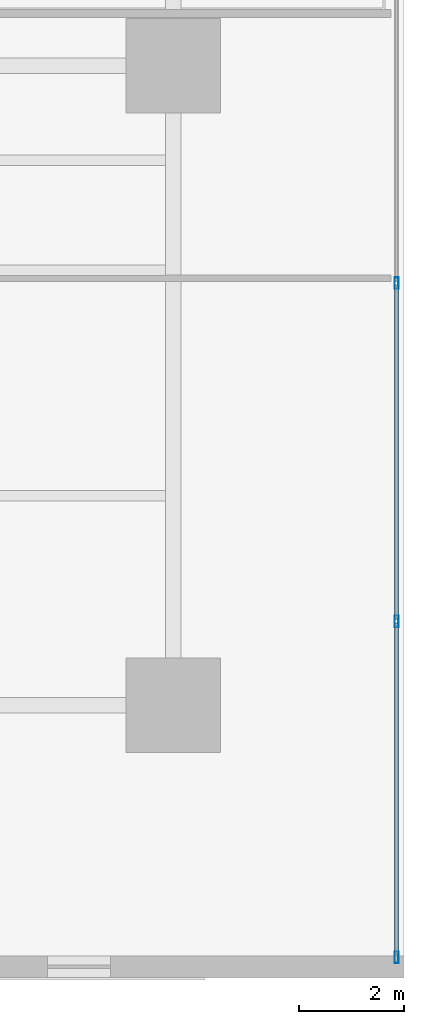
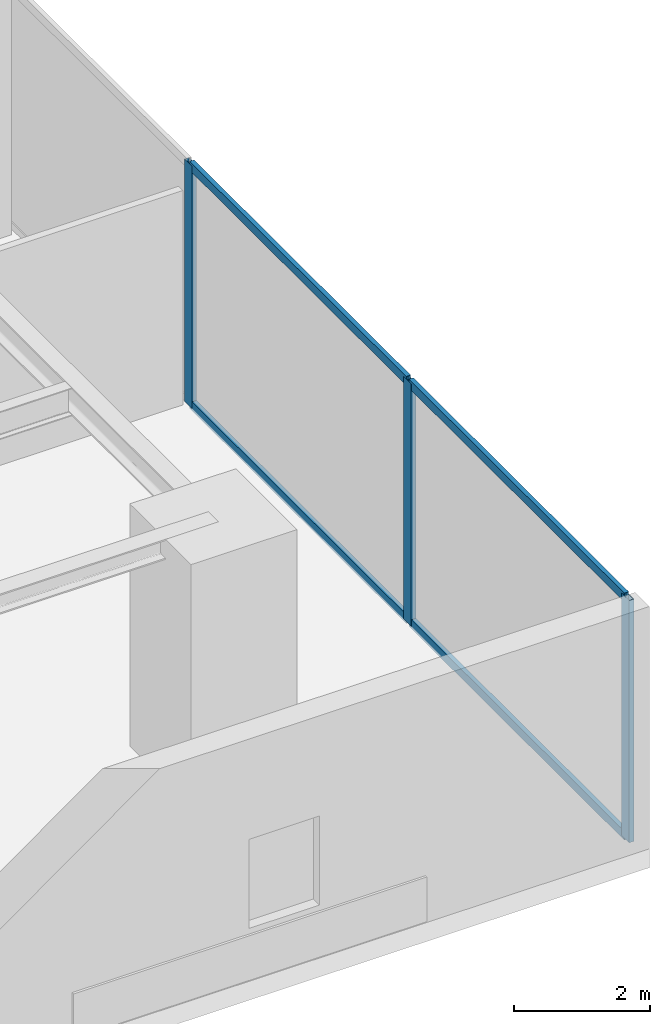
# One storey, part 8 of 18: 7 members, 1 element without a shape of its own.
"""IFC4 building model written with IfcOpenShell, lengths in metres."""

from ifc_helpers import new_model, si_unit, direction, frame, origin, origin_with_axes, origin_2d, place, context, subcontext, project, spatial, hollow_rectangle, extrude, source, transform, mapped, material, layer, layer_set, material_profile, profile_set, type_object, element, aggregate, save


model = new_model("IFC4")

# Units and contexts
model_context = context("Model", 3, precision=1e-05, world=origin(), true_north=direction((0.0, 1.0)))
body_context = subcontext(model_context, "Body", "Model", "MODEL_VIEW")
ifc_project = project(units=[si_unit("LENGTHUNIT", "METRE"), si_unit("AREAUNIT", "SQUARE_METRE"), si_unit("VOLUMEUNIT", "CUBIC_METRE"), si_unit("PLANEANGLEUNIT", "RADIAN"), si_unit("MASSUNIT", "GRAM", prefix="KILO")], contexts=[model_context])

# Site, building, storey
site_placement = place(None, origin())
site = spatial("IfcSite", under=ifc_project, at=site_placement, CompositionType="ELEMENT")
building_placement = place(site_placement, origin())
building = spatial("IfcBuilding", under=site, at=building_placement, Name="Kolvaren Waterfront Exchange", CompositionType="ELEMENT")
storey_placement = place(building_placement, frame((0.0, 0.0, 24.800048828125)))
storey = spatial("IfcBuildingStorey", under=building, at=storey_placement, Name="L06", CompositionType="ELEMENT", Elevation=24.800048828125)

# Curtain wall, members
ifc_material_1 = material(Name="Anodised bronze aluminium 6063-T6", Category="aluminium")
ifc_layer = layer(ifc_material_1, 0.219970703125, Name="Anodised bronze aluminium 6063-T6")
ifc_layer_set = layer_set([ifc_layer], Name="Anodised bronze aluminium 6063-T6")
curtain_wall_type = type_object("IfcCurtainWallType", Name="ARC-CW-SYS4", PredefinedType="USERDEFINED", material=ifc_layer_set)
curtain_wall_placement = place(storey_placement, origin())
curtain_wall = element("IfcCurtainWall", 1, at=curtain_wall_placement, inside=storey, type_object=curtain_wall_type, Name="L06 stick curtain wall CW4 (CW-L06-E1)", ObjectType="STICK CURTAIN WALL", PredefinedType="USERDEFINED")
ifc_material_2 = material(Name="Anodised aluminium 6063-T6", Category="aluminium")
ifc_material_profile_1 = material_profile(ifc_material_2, hollow_rectangle(XDim=0.074951171875, YDim=0.159912109375, WallThickness=0.00439453125, at=origin_2d()), Name="ALU-TRN-160x75x4.5")
ifc_profile_set_1 = profile_set([ifc_material_profile_1], Name="Anodised aluminium 6063-T6")
member_type_1 = type_object("IfcMemberType", Name="ARC-CWT-160", PredefinedType="USERDEFINED", material=ifc_profile_set_1)
shared_shape_1 = source(origin_with_axes(), body_context, "Body", "SweptSolid", [
    extrude(hollow_rectangle(XDim=0.074951171875, YDim=0.159912109375, WallThickness=0.00439453125, at=origin_2d()), origin(), (0.0, 0.0, 1.0), 6.331787109375),
])
member_1_placement = place(storey_placement, frame((64.659912109375, 0.429931640625, 0.037353515625), z_axis=(0.0, 1.0, 0.0), x_axis=(-1.0, 0.0, 0.0)))
member_1 = element("IfcMember", 2, at=member_1_placement, type_object=member_type_1, Name="CW4 transom 1.1", ObjectType="TRANSOM", PredefinedType="USERDEFINED", context=body_context, shape_type="MappedRepresentation", body=[
    mapped(shared_shape_1, transform((0.0, 0.0, 0.0), x_axis=(1.0, 0.0, 0.0), y_axis=(0.0, 1.0, 0.0), z_axis=(0.0, 0.0, 1.0), scale=1.0)),
])
member_2_placement = place(storey_placement, frame((64.659912109375, 0.429931640625, 4.3125), z_axis=(0.0, 1.0, 0.0), x_axis=(-1.0, 0.0, 0.0)))
member_2 = element("IfcMember", 3, at=member_2_placement, type_object=member_type_1, Name="CW4 transom 1.2", ObjectType="TRANSOM", PredefinedType="USERDEFINED", context=body_context, shape_type="MappedRepresentation", body=[
    mapped(shared_shape_1, transform((0.0, 0.0, 0.0), x_axis=(1.0, 0.0, 0.0), y_axis=(0.0, 1.0, 0.0), z_axis=(0.0, 0.0, 1.0), scale=1.0)),
])
shared_shape_2 = source(origin_with_axes(), body_context, "Body", "SweptSolid", [
    extrude(hollow_rectangle(XDim=0.074951171875, YDim=0.159912109375, WallThickness=0.00439453125, at=origin_2d()), origin(), (0.0, 0.0, 1.0), 6.371826171875),
])
member_3_placement = place(storey_placement, frame((64.659912109375, 6.841552734375, 0.037353515625), z_axis=(0.0, 1.0, 0.0), x_axis=(-1.0, 0.0, 0.0)))
member_3 = element("IfcMember", 4, at=member_3_placement, type_object=member_type_1, Name="CW4 transom 2.1", ObjectType="TRANSOM", PredefinedType="USERDEFINED", context=body_context, shape_type="MappedRepresentation", body=[
    mapped(shared_shape_2, transform((0.0, 0.0, 0.0), x_axis=(1.0, 0.0, 0.0), y_axis=(0.0, 1.0, 0.0), z_axis=(0.0, 0.0, 1.0), scale=1.0)),
])
member_4_placement = place(storey_placement, frame((64.659912109375, 6.841552734375, 4.3125), z_axis=(0.0, 1.0, 0.0), x_axis=(-1.0, 0.0, 0.0)))
member_4 = element("IfcMember", 5, at=member_4_placement, type_object=member_type_1, Name="CW4 transom 2.2", ObjectType="TRANSOM", PredefinedType="USERDEFINED", context=body_context, shape_type="MappedRepresentation", body=[
    mapped(shared_shape_2, transform((0.0, 0.0, 0.0), x_axis=(1.0, 0.0, 0.0), y_axis=(0.0, 1.0, 0.0), z_axis=(0.0, 0.0, 1.0), scale=1.0)),
])
ifc_material_profile_2 = material_profile(ifc_material_2, hollow_rectangle(XDim=0.080078125, YDim=0.219970703125, WallThickness=0.0048828125, at=origin_2d()), Name="ALU-MUL-220x80x5")
ifc_profile_set_2 = profile_set([ifc_material_profile_2], Name="Anodised aluminium 6063-T6")
member_type_2 = type_object("IfcMemberType", Name="ARC-CWM-220", PredefinedType="MULLION", material=ifc_profile_set_2)
shared_shape_3 = source(origin_with_axes(), body_context, "Body", "SweptSolid", [
    extrude(hollow_rectangle(XDim=0.080078125, YDim=0.219970703125, WallThickness=0.0048828125, at=origin_2d()), origin(), (0.0, 0.0, 1.0), 4.349853515625),
])
member_5_placement = place(storey_placement, frame((64.659912109375, 0.389892578125, 0.0), z_axis=(0.0, 0.0, 1.0), x_axis=(-1.0, 0.0, 0.0)))
member_5 = element("IfcMember", 6, at=member_5_placement, type_object=member_type_2, Name="CW4 mullion 1", PredefinedType="MULLION", context=body_context, shape_type="MappedRepresentation", body=[
    mapped(shared_shape_3, transform((0.0, 0.0, 0.0), x_axis=(1.0, 0.0, 0.0), y_axis=(0.0, 1.0, 0.0), z_axis=(0.0, 0.0, 1.0), scale=1.0)),
])
member_6_placement = place(storey_placement, frame((64.659912109375, 6.8017578125, 0.0), z_axis=(0.0, 0.0, 1.0), x_axis=(-1.0, 0.0, 0.0)))
member_6 = element("IfcMember", 7, at=member_6_placement, type_object=member_type_2, Name="CW4 mullion 2", PredefinedType="MULLION", context=body_context, shape_type="MappedRepresentation", body=[
    mapped(shared_shape_3, transform((0.0, 0.0, 0.0), x_axis=(1.0, 0.0, 0.0), y_axis=(0.0, 1.0, 0.0), z_axis=(0.0, 0.0, 1.0), scale=1.0)),
])
member_7_placement = place(storey_placement, frame((64.659912109375, 13.25341796875, 0.0), z_axis=(0.0, 0.0, 1.0), x_axis=(-1.0, 0.0, 0.0)))
member_7 = element("IfcMember", 8, at=member_7_placement, type_object=member_type_2, Name="CW4 mullion 3", PredefinedType="MULLION", context=body_context, shape_type="MappedRepresentation", body=[
    mapped(shared_shape_3, transform((0.0, 0.0, 0.0), x_axis=(1.0, 0.0, 0.0), y_axis=(0.0, 1.0, 0.0), z_axis=(0.0, 0.0, 1.0), scale=1.0)),
])
aggregate(curtain_wall, [member_5, member_6, member_7, member_1, member_2, member_3, member_4])

save(model, "model.ifc")
